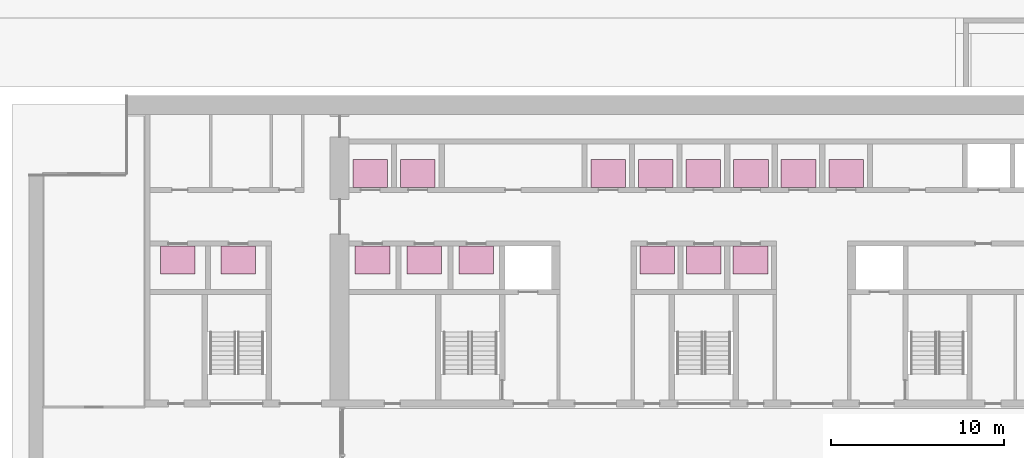
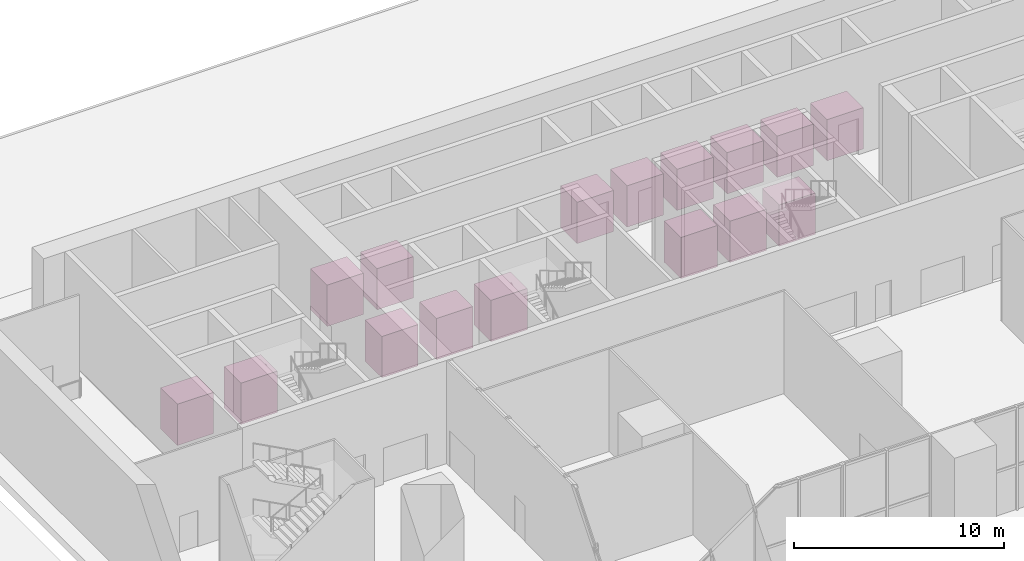
# One storey, part 16 of 16: 16 transport elements.
"""IFC4 building model written with IfcOpenShell, lengths in metres."""

from ifc_helpers import new_model, si_unit, direction, frame, origin, origin_2d, place, context, subcontext, project, spatial, rectangle, extrude, material, type_object, element, save


model = new_model("IFC4")

# Units and contexts
model_context = context("Model", 3, precision=1e-05, world=origin(), true_north=direction((0.0, 1.0)))
body_context = subcontext(model_context, "Body", "Model", "MODEL_VIEW")
ifc_project = project(units=[si_unit("LENGTHUNIT", "METRE"), si_unit("AREAUNIT", "SQUARE_METRE"), si_unit("VOLUMEUNIT", "CUBIC_METRE"), si_unit("PLANEANGLEUNIT", "RADIAN"), si_unit("MASSUNIT", "GRAM", prefix="KILO")], contexts=[model_context])

# Site, building, storey
site_placement = place(None, origin())
site = spatial("IfcSite", under=ifc_project, at=site_placement, CompositionType="ELEMENT")
building_placement = place(site_placement, origin())
building = spatial("IfcBuilding", under=site, at=building_placement, Name="Calvaro Tower", CompositionType="ELEMENT")
storey_placement = place(building_placement, origin())
storey = spatial("IfcBuildingStorey", under=building, at=storey_placement, Name="L00", CompositionType="ELEMENT", Elevation=0.0)

# Transport elements
ifc_material_1 = material(Name="Stainless steel", Category="steel")
transport_element_type_1 = type_object("IfcTransportElementType", Name="Executive lift EX 2000 by 1600", PredefinedType="ELEVATOR", material=ifc_material_1)
for number, where, z_axis, x_axis, name in (
    (1, (8.60009765625, 36.5, 0.0), (0.0, 0.0, 1.0), (1.0, 0.0, 0.0), "EX1"),
    (2, (12.10009765625, 36.5, 0.0), (0.0, 0.0, 1.0), (1.0, 0.0, 0.0), "EX2"),
):
    element("IfcTransportElement", number, at=place(storey_placement, frame(where, z_axis=z_axis, x_axis=x_axis)), inside=storey, type_object=transport_element_type_1, Name=name, PredefinedType="ELEVATOR", context=body_context, shape_type="SweptSolid", body=[
        extrude(rectangle(XDim=2.0, YDim=1.60009765625, at=origin_2d()), origin(), (0.0, 0.0, 1.0), 2.39990234375),
    ])
ifc_material_2 = material(Name="Stainless steel", Category="steel")
transport_element_type_2 = type_object("IfcTransportElementType", Name="Passenger lift LR 2000 by 1600", PredefinedType="ELEVATOR", material=ifc_material_2)
for number, where, z_axis, x_axis, name in (
    (3, (19.85009765625, 36.5, 0.0), (0.0, 0.0, 1.0), (1.0, 0.0, 0.0), "LR1"),
    (4, (22.85009765625, 36.5, 0.0), (0.0, 0.0, 1.0), (1.0, 0.0, 0.0), "LR2"),
    (5, (25.85009765625, 36.5, 0.0), (0.0, 0.0, 1.0), (1.0, 0.0, 0.0), "LR3"),
    (6, (36.300048828125, 36.5, 0.0), (0.0, 0.0, 1.0), (1.0, 0.0, 0.0), "LR4"),
    (7, (39.0, 36.5, 0.0), (0.0, 0.0, 1.0), (1.0, 0.0, 0.0), "LR5"),
    (8, (41.699951171875, 36.5, 0.0), (0.0, 0.0, 1.0), (1.0, 0.0, 0.0), "LR6"),
    (9, (33.47509765625, 41.5, 0.0), (0.0, 0.0, 1.0), (1.0, 0.0, 0.0), "LR7"),
    (10, (36.22509765625, 41.5, 0.0), (0.0, 0.0, 1.0), (1.0, 0.0, 0.0), "LR8"),
    (11, (38.97509765625, 41.5, 0.0), (0.0, 0.0, 1.0), (1.0, 0.0, 0.0), "LR9"),
    (12, (41.72509765625, 41.5, 0.0), (0.0, 0.0, 1.0), (1.0, 0.0, 0.0), "LR10"),
):
    element("IfcTransportElement", number, at=place(storey_placement, frame(where, z_axis=z_axis, x_axis=x_axis)), inside=storey, type_object=transport_element_type_2, Name=name, PredefinedType="ELEVATOR", context=body_context, shape_type="SweptSolid", body=[
        extrude(rectangle(XDim=2.0, YDim=1.60009765625, at=origin_2d()), origin(), (0.0, 0.0, 1.0), 2.39990234375),
    ])
ifc_material_3 = material(Name="Stainless steel", Category="steel")
transport_element_type_3 = type_object("IfcTransportElementType", Name="Shuttle lift SH 2000 by 1600", PredefinedType="ELEVATOR", material=ifc_material_3)
for number, where, z_axis, x_axis, name in (
    (13, (19.72509765625, 41.5, 0.0), (0.0, 0.0, 1.0), (1.0, 0.0, 0.0), "SH1"),
    (14, (22.47509765625, 41.5, 0.0), (0.0, 0.0, 1.0), (1.0, 0.0, 0.0), "SH2"),
    (15, (44.47509765625, 41.5, 0.0), (0.0, 0.0, 1.0), (1.0, 0.0, 0.0), "SH3"),
    (16, (47.22509765625, 41.5, 0.0), (0.0, 0.0, 1.0), (1.0, 0.0, 0.0), "SH4"),
):
    element("IfcTransportElement", number, at=place(storey_placement, frame(where, z_axis=z_axis, x_axis=x_axis)), inside=storey, type_object=transport_element_type_3, Name=name, PredefinedType="ELEVATOR", context=body_context, shape_type="SweptSolid", body=[
        extrude(rectangle(XDim=2.0, YDim=1.60009765625, at=origin_2d()), origin(), (0.0, 0.0, 1.0), 2.39990234375),
    ])

save(model, "model.ifc")
